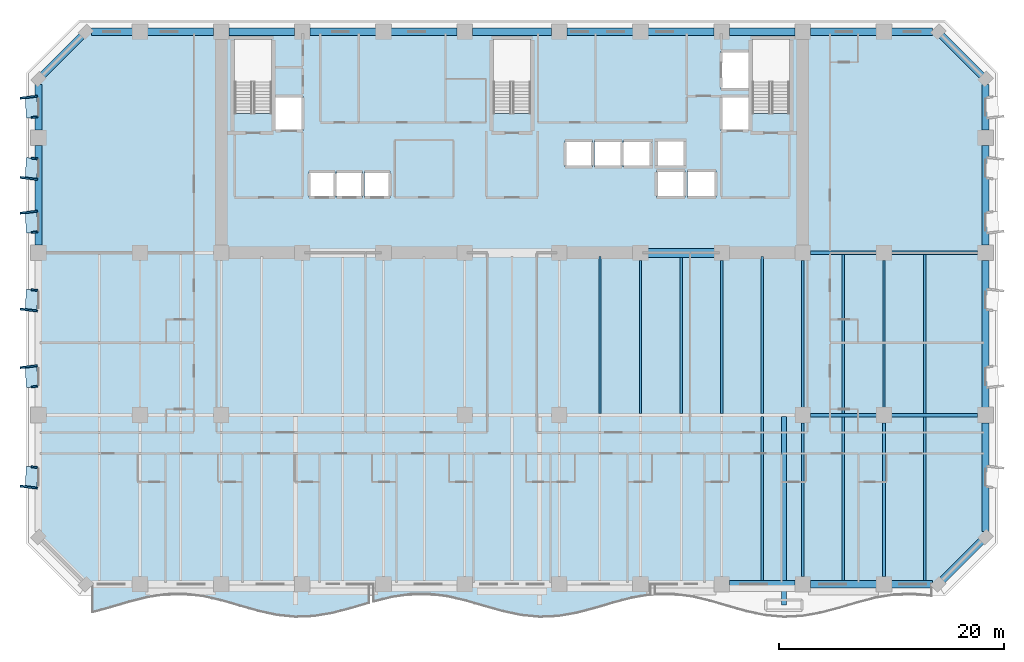
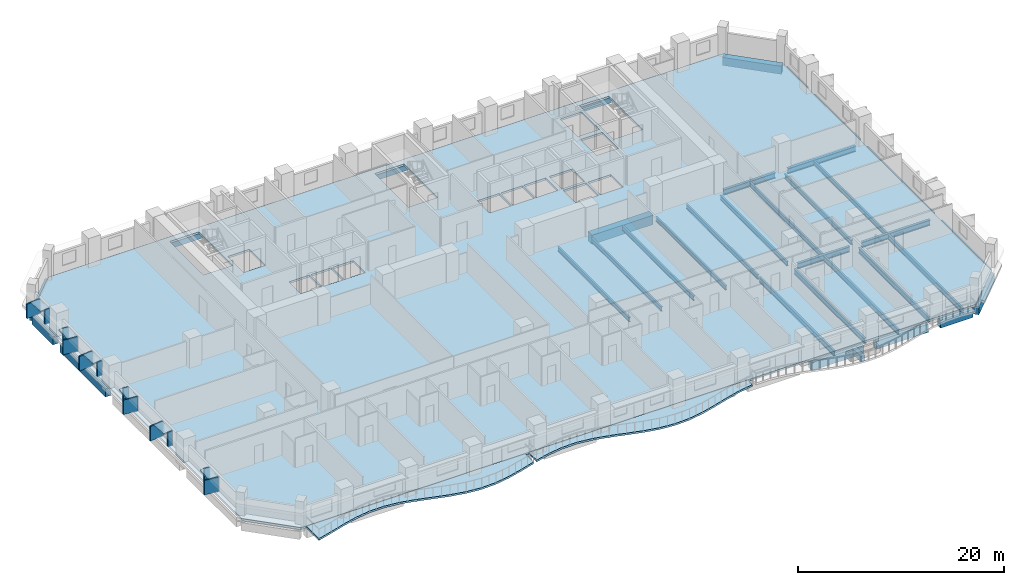
# One storey, part 2 of 15: 43 beams, 18 plates, 3 slabs.
"""IFC4 building model written with IfcOpenShell, lengths in metres."""

from ifc_helpers import new_model, si_unit, direction, frame, origin, origin_2d, place, context, subcontext, project, spatial, polyline, rectangle, i_section, outline, extrude, material, layer, layer_set, material_profile, profile_set, type_object, element, save


model = new_model("IFC4")

# Units and contexts
model_context = context("Model", 3, precision=1e-05, world=origin(), true_north=direction((0.0, 1.0)))
body_context = subcontext(model_context, "Body", "Model", "MODEL_VIEW")
ifc_project = project(units=[si_unit("LENGTHUNIT", "METRE"), si_unit("AREAUNIT", "SQUARE_METRE"), si_unit("VOLUMEUNIT", "CUBIC_METRE"), si_unit("PLANEANGLEUNIT", "RADIAN"), si_unit("MASSUNIT", "GRAM", prefix="KILO")], contexts=[model_context])

# Site, building, storey
site_placement = place(None, origin())
site = spatial("IfcSite", under=ifc_project, at=site_placement, CompositionType="ELEMENT")
building_placement = place(site_placement, origin())
building = spatial("IfcBuilding", under=site, at=building_placement, Name="Kaelvorn Grand Hotel", CompositionType="ELEMENT")
storey_placement = place(building_placement, frame((0.0, 0.0, 53.89990234375)))
storey = spatial("IfcBuildingStorey", under=building, at=storey_placement, Name="L11", CompositionType="ELEMENT", Elevation=53.89990234375)

# Beams
ifc_material_1 = material(Name="Steel S355", Category="steel")
ifc_material_profile_1 = material_profile(ifc_material_1, i_section(OverallWidth=0.300048828125, OverallDepth=0.64990234375, WebThickness=0.01611328125, FlangeThickness=0.031005859375, FilletRadius=0.027099609375, at=origin_2d()), Name="HEB 650")
ifc_profile_set_1 = profile_set([ifc_material_profile_1], Name="Steel S355")
beam_type_1 = type_object("IfcBeamType", Name="BM-G-HEB650-S355", PredefinedType="BEAM", material=ifc_profile_set_1)
beam_1_placement = place(storey_placement, frame((68.485107421875, 15.0, -0.56494140625), z_axis=(1.0, 0.0, 0.0), x_axis=(0.0, 1.0, 0.0)))
element("IfcBeam", 1, at=beam_1_placement, inside=storey, type_object=beam_type_1, Name="L11 Primary Spine Steel Girder G-15 06", PredefinedType="BEAM", context=body_context, shape_type="SweptSolid", body=[
    extrude(i_section(OverallWidth=0.300048828125, OverallDepth=0.64990234375, WebThickness=0.01611328125, FlangeThickness=0.031005859375, FilletRadius=0.027099609375, at=origin_2d()), origin(), (0.0, 0.0, 1.0), 5.829833984375),
])
beam_2_placement = place(storey_placement, frame((75.68505859375, 15.0, -0.56494140625), z_axis=(1.0, 0.0, 0.0), x_axis=(0.0, 1.0, 0.0)))
element("IfcBeam", 2, at=beam_2_placement, inside=storey, type_object=beam_type_1, Name="L11 Primary Spine Steel Girder G-15 07", PredefinedType="BEAM", context=body_context, shape_type="SweptSolid", body=[
    extrude(i_section(OverallWidth=0.300048828125, OverallDepth=0.64990234375, WebThickness=0.01611328125, FlangeThickness=0.031005859375, FilletRadius=0.027099609375, at=origin_2d()), origin(), (0.0, 0.0, 1.0), 7.6298828125),
])
beam_3_placement = place(storey_placement, frame((68.485107421875, 29.39990234375, -0.56494140625), z_axis=(1.0, 0.0, 0.0), x_axis=(0.0, 1.0, 0.0)))
element("IfcBeam", 3, at=beam_3_placement, inside=storey, type_object=beam_type_1, Name="L11 East Core Wing Steel Girder G-29E 01", PredefinedType="BEAM", context=body_context, shape_type="SweptSolid", body=[
    extrude(i_section(OverallWidth=0.300048828125, OverallDepth=0.64990234375, WebThickness=0.01611328125, FlangeThickness=0.031005859375, FilletRadius=0.027099609375, at=origin_2d()), origin(), (0.0, 0.0, 1.0), 5.829833984375),
])
beam_4_placement = place(storey_placement, frame((75.68505859375, 29.39990234375, -0.56494140625), z_axis=(1.0, 0.0, 0.0), x_axis=(0.0, 1.0, 0.0)))
element("IfcBeam", 4, at=beam_4_placement, inside=storey, type_object=beam_type_1, Name="L11 East Core Wing Steel Girder G-29E 02", PredefinedType="BEAM", context=body_context, shape_type="SweptSolid", body=[
    extrude(i_section(OverallWidth=0.300048828125, OverallDepth=0.64990234375, WebThickness=0.01611328125, FlangeThickness=0.031005859375, FilletRadius=0.027099609375, at=origin_2d()), origin(), (0.0, 0.0, 1.0), 7.6298828125),
])
ifc_material_profile_2 = material_profile(ifc_material_1, i_section(OverallWidth=0.209228515625, OverallDepth=0.533203125, WebThickness=0.010009765625, FlangeThickness=0.015625, FilletRadius=0.0126953125, at=origin_2d()), Name="UB 533x210x92")
ifc_profile_set_2 = profile_set([ifc_material_profile_2], Name="Steel S355")
beam_type_2 = type_object("IfcBeamType", Name="BM-J-UB533-S355", PredefinedType="JOIST", material=ifc_profile_set_2)
beam_5_placement = place(storey_placement, frame((49.800048828125, 15.135009765625, -0.50634765625), z_axis=(0.0, 1.0, 0.0), x_axis=(-1.0, 0.0, 0.0)))
element("IfcBeam", 5, at=beam_5_placement, inside=storey, type_object=beam_type_2, Name="L11 Composite Floor Joist JM-14", PredefinedType="JOIST", context=body_context, shape_type="SweptSolid", body=[
    extrude(i_section(OverallWidth=0.209228515625, OverallDepth=0.533203125, WebThickness=0.010009765625, FlangeThickness=0.015625, FilletRadius=0.0126953125, at=origin_2d()), origin(), (0.0, 0.0, 1.0), 13.925048828125),
])
beam_6_placement = place(storey_placement, frame((53.39990234375, 15.135009765625, -0.50634765625), z_axis=(0.0, 1.0, 0.0), x_axis=(-1.0, 0.0, 0.0)))
element("IfcBeam", 6, at=beam_6_placement, inside=storey, type_object=beam_type_2, Name="L11 Composite Floor Joist JM-15", PredefinedType="JOIST", context=body_context, shape_type="SweptSolid", body=[
    extrude(i_section(OverallWidth=0.209228515625, OverallDepth=0.533203125, WebThickness=0.010009765625, FlangeThickness=0.015625, FilletRadius=0.0126953125, at=origin_2d()), origin(), (0.0, 0.0, 1.0), 13.580078125),
])
beam_7_placement = place(storey_placement, frame((57.0, 15.135009765625, -0.50634765625), z_axis=(0.0, 1.0, 0.0), x_axis=(-1.0, 0.0, 0.0)))
element("IfcBeam", 7, at=beam_7_placement, inside=storey, type_object=beam_type_2, Name="L11 Composite Floor Joist JM-16", PredefinedType="JOIST", context=body_context, shape_type="SweptSolid", body=[
    extrude(i_section(OverallWidth=0.209228515625, OverallDepth=0.533203125, WebThickness=0.010009765625, FlangeThickness=0.015625, FilletRadius=0.0126953125, at=origin_2d()), origin(), (0.0, 0.0, 1.0), 13.925048828125),
])
beam_8_placement = place(storey_placement, frame((60.60009765625, 15.135009765625, -0.50634765625), z_axis=(0.0, 1.0, 0.0), x_axis=(-1.0, 0.0, 0.0)))
element("IfcBeam", 8, at=beam_8_placement, inside=storey, type_object=beam_type_2, Name="L11 Composite Floor Joist JM-17", PredefinedType="JOIST", context=body_context, shape_type="SweptSolid", body=[
    extrude(i_section(OverallWidth=0.209228515625, OverallDepth=0.533203125, WebThickness=0.010009765625, FlangeThickness=0.015625, FilletRadius=0.0126953125, at=origin_2d()), origin(), (0.0, 0.0, 1.0), 13.580078125),
])
beam_9_placement = place(storey_placement, frame((64.199951171875, 15.135009765625, -0.50634765625), z_axis=(0.0, 1.0, 0.0), x_axis=(-1.0, 0.0, 0.0)))
element("IfcBeam", 9, at=beam_9_placement, inside=storey, type_object=beam_type_2, Name="L11 Composite Floor Joist JM-18", PredefinedType="JOIST", context=body_context, shape_type="SweptSolid", body=[
    extrude(i_section(OverallWidth=0.209228515625, OverallDepth=0.533203125, WebThickness=0.010009765625, FlangeThickness=0.015625, FilletRadius=0.0126953125, at=origin_2d()), origin(), (0.0, 0.0, 1.0), 13.925048828125),
])
beam_10_placement = place(storey_placement, frame((67.800048828125, 15.68505859375, -0.50634765625), z_axis=(0.0, 1.0, 0.0), x_axis=(-1.0, 0.0, 0.0)))
element("IfcBeam", 10, at=beam_10_placement, inside=storey, type_object=beam_type_2, Name="L11 Composite Floor Joist JM-19", PredefinedType="JOIST", context=body_context, shape_type="SweptSolid", body=[
    extrude(i_section(OverallWidth=0.209228515625, OverallDepth=0.533203125, WebThickness=0.010009765625, FlangeThickness=0.015625, FilletRadius=0.0126953125, at=origin_2d()), origin(), (0.0, 0.0, 1.0), 13.030029296875),
])
beam_11_placement = place(storey_placement, frame((71.39990234375, 15.135009765625, -0.50634765625), z_axis=(0.0, 1.0, 0.0), x_axis=(-1.0, 0.0, 0.0)))
element("IfcBeam", 11, at=beam_11_placement, inside=storey, type_object=beam_type_2, Name="L11 Composite Floor Joist JM-20", PredefinedType="JOIST", context=body_context, shape_type="SweptSolid", body=[
    extrude(i_section(OverallWidth=0.209228515625, OverallDepth=0.533203125, WebThickness=0.010009765625, FlangeThickness=0.015625, FilletRadius=0.0126953125, at=origin_2d()), origin(), (0.0, 0.0, 1.0), 14.1298828125),
])
beam_12_placement = place(storey_placement, frame((75.0, 15.68505859375, -0.50634765625), z_axis=(0.0, 1.0, 0.0), x_axis=(-1.0, 0.0, 0.0)))
element("IfcBeam", 12, at=beam_12_placement, inside=storey, type_object=beam_type_2, Name="L11 Composite Floor Joist JM-21", PredefinedType="JOIST", context=body_context, shape_type="SweptSolid", body=[
    extrude(i_section(OverallWidth=0.209228515625, OverallDepth=0.533203125, WebThickness=0.010009765625, FlangeThickness=0.015625, FilletRadius=0.0126953125, at=origin_2d()), origin(), (0.0, 0.0, 1.0), 13.030029296875),
])
beam_13_placement = place(storey_placement, frame((78.60009765625, 15.135009765625, -0.50634765625), z_axis=(0.0, 1.0, 0.0), x_axis=(-1.0, 0.0, 0.0)))
element("IfcBeam", 13, at=beam_13_placement, inside=storey, type_object=beam_type_2, Name="L11 Composite Floor Joist JM-22", PredefinedType="JOIST", context=body_context, shape_type="SweptSolid", body=[
    extrude(i_section(OverallWidth=0.209228515625, OverallDepth=0.533203125, WebThickness=0.010009765625, FlangeThickness=0.015625, FilletRadius=0.0126953125, at=origin_2d()), origin(), (0.0, 0.0, 1.0), 14.1298828125),
])
ifc_material_profile_3 = material_profile(ifc_material_1, i_section(OverallWidth=0.22900390625, OverallDepth=0.6123046875, WebThickness=0.011962890625, FlangeThickness=0.01953125, FilletRadius=0.0126953125, at=origin_2d()), Name="UB 610x229x125")
ifc_profile_set_3 = profile_set([ifc_material_profile_3], Name="Steel S355")
beam_type_3 = type_object("IfcBeamType", Name="BM-J-UB610-S355", PredefinedType="JOIST", material=ifc_profile_set_3)
beam_14_placement = place(storey_placement, frame((64.199951171875, 0.31005859375, -0.5458984375), z_axis=(0.0, 1.0, 0.0), x_axis=(-1.0, 0.0, 0.0)))
element("IfcBeam", 14, at=beam_14_placement, inside=storey, type_object=beam_type_3, Name="L11 Composite Floor Joist JS-18", PredefinedType="JOIST", context=body_context, shape_type="SweptSolid", body=[
    extrude(i_section(OverallWidth=0.22900390625, OverallDepth=0.6123046875, WebThickness=0.011962890625, FlangeThickness=0.01953125, FilletRadius=0.0126953125, at=origin_2d()), origin(), (0.0, 0.0, 1.0), 14.554931640625),
])
beam_15_placement = place(storey_placement, frame((67.800048828125, 0.68505859375, -0.5458984375), z_axis=(0.0, 1.0, 0.0), x_axis=(-1.0, 0.0, 0.0)))
element("IfcBeam", 15, at=beam_15_placement, inside=storey, type_object=beam_type_3, Name="L11 Composite Floor Joist JS-19", PredefinedType="JOIST", context=body_context, shape_type="SweptSolid", body=[
    extrude(i_section(OverallWidth=0.22900390625, OverallDepth=0.6123046875, WebThickness=0.011962890625, FlangeThickness=0.01953125, FilletRadius=0.0126953125, at=origin_2d()), origin(), (0.0, 0.0, 1.0), 13.6298828125),
])
beam_16_placement = place(storey_placement, frame((71.39990234375, 0.31005859375, -0.5458984375), z_axis=(0.0, 1.0, 0.0), x_axis=(-1.0, 0.0, 0.0)))
element("IfcBeam", 16, at=beam_16_placement, inside=storey, type_object=beam_type_3, Name="L11 Composite Floor Joist JS-20", PredefinedType="JOIST", context=body_context, shape_type="SweptSolid", body=[
    extrude(i_section(OverallWidth=0.22900390625, OverallDepth=0.6123046875, WebThickness=0.011962890625, FlangeThickness=0.01953125, FilletRadius=0.0126953125, at=origin_2d()), origin(), (0.0, 0.0, 1.0), 14.554931640625),
])
beam_17_placement = place(storey_placement, frame((75.0, 0.68505859375, -0.5458984375), z_axis=(0.0, 1.0, 0.0), x_axis=(-1.0, 0.0, 0.0)))
element("IfcBeam", 17, at=beam_17_placement, inside=storey, type_object=beam_type_3, Name="L11 Composite Floor Joist JS-21", PredefinedType="JOIST", context=body_context, shape_type="SweptSolid", body=[
    extrude(i_section(OverallWidth=0.22900390625, OverallDepth=0.6123046875, WebThickness=0.011962890625, FlangeThickness=0.01953125, FilletRadius=0.0126953125, at=origin_2d()), origin(), (0.0, 0.0, 1.0), 13.6298828125),
])
beam_18_placement = place(storey_placement, frame((78.60009765625, 0.31005859375, -0.5458984375), z_axis=(0.0, 1.0, 0.0), x_axis=(-1.0, 0.0, 0.0)))
element("IfcBeam", 18, at=beam_18_placement, inside=storey, type_object=beam_type_3, Name="L11 Composite Floor Joist JS-22", PredefinedType="JOIST", context=body_context, shape_type="SweptSolid", body=[
    extrude(i_section(OverallWidth=0.22900390625, OverallDepth=0.6123046875, WebThickness=0.011962890625, FlangeThickness=0.01953125, FilletRadius=0.0126953125, at=origin_2d()), origin(), (0.0, 0.0, 1.0), 14.554931640625),
])
ifc_material_2 = material(Name="Concrete C60/75", Category="concrete")
ifc_material_profile_4 = material_profile(ifc_material_2, rectangle(XDim=0.800048828125, YDim=1.10009765625, at=origin_2d()), Name="RC LINTEL 800x1100")
ifc_profile_set_4 = profile_set([ifc_material_profile_4], Name="Concrete C60/75")
beam_type_4 = type_object("IfcBeamType", Name="BM-LIN-800x1100-C60", PredefinedType="LINTEL", material=ifc_profile_set_4)
beam_19_placement = place(storey_placement, frame((53.580078125, 29.39990234375, -0.789794921875), z_axis=(1.0, 0.0, 0.0), x_axis=(0.0, 1.0, 0.0)))
element("IfcBeam", 19, at=beam_19_placement, inside=storey, type_object=beam_type_4, Name="L11 Rear-Core Coupling Lintel Beam CB1-03", PredefinedType="LINTEL", context=body_context, shape_type="SweptSolid", body=[
    extrude(rectangle(XDim=0.800048828125, YDim=1.10009765625, at=origin_2d()), origin(), (0.0, 0.0, 1.0), 6.83984375),
])
ifc_material_3 = material(Name="Concrete C40/50", Category="concrete")
ifc_material_profile_5 = material_profile(ifc_material_3, rectangle(XDim=0.449951171875, YDim=0.64990234375, at=origin_2d()), Name="RC RIB 450x650")
ifc_profile_set_5 = profile_set([ifc_material_profile_5], Name="Concrete C40/50")
beam_type_5 = type_object("IfcBeamType", Name="BM-RIB-450x650-C40", PredefinedType="SPANDREL", material=ifc_profile_set_5)
beam_20_placement = place(storey_placement, frame((66.115478515625, -1.85009765625, -0.544921875), z_axis=(0.0, 1.0, 0.0), x_axis=(-1.0, 0.0, 0.0)))
element("IfcBeam", 20, at=beam_20_placement, inside=storey, type_object=beam_type_5, Name="L11 Cantilevered Balcony Back-Span Rib RB1-3", PredefinedType="SPANDREL", context=body_context, shape_type="SweptSolid", body=[
    extrude(rectangle(XDim=0.449951171875, YDim=0.64990234375, at=origin_2d()), origin(), (0.0, 0.0, 1.0), 16.715087890625),
])
ifc_material_profile_6 = material_profile(ifc_material_2, rectangle(XDim=0.64990234375, YDim=0.949951171875, at=origin_2d()), Name="RC SPANDREL 650x950")
ifc_profile_set_6 = profile_set([ifc_material_profile_6], Name="Concrete C60/75")
beam_type_6 = type_object("IfcBeamType", Name="BM-SP-650x950-C60", PredefinedType="SPANDREL", material=ifc_profile_set_6)
beam_21_placement = place(storey_placement, frame((61.284912109375, 0.0, -0.71484375), z_axis=(1.0, 0.0, 0.0), x_axis=(0.0, 1.0, 0.0)))
element("IfcBeam", 21, at=beam_21_placement, inside=storey, type_object=beam_type_6, Name="L11 South Perimeter Spandrel 09", PredefinedType="SPANDREL", context=body_context, shape_type="SweptSolid", body=[
    extrude(rectangle(XDim=0.64990234375, YDim=0.949951171875, at=origin_2d()), origin(), (0.0, 0.0, 1.0), 5.830078125),
])
beam_22_placement = place(storey_placement, frame((68.485107421875, 0.0, -0.71484375), z_axis=(1.0, 0.0, 0.0), x_axis=(0.0, 1.0, 0.0)))
element("IfcBeam", 22, at=beam_22_placement, inside=storey, type_object=beam_type_6, Name="L11 South Perimeter Spandrel 10", PredefinedType="SPANDREL", context=body_context, shape_type="SweptSolid", body=[
    extrude(rectangle(XDim=0.64990234375, YDim=0.949951171875, at=origin_2d()), origin(), (0.0, 0.0, 1.0), 5.829833984375),
])
for number, where, z_axis, x_axis, name in (
    (23, (75.68505859375, 0.0, -0.71484375), (1.0, 0.0, 0.0), (0.0, 1.0, 0.0), "L11 South Perimeter Spandrel 11"),
    (24, (4.68505859375, 49.0, -0.71484375), (1.0, 0.0, 0.0), (0.0, 1.0, 0.0), "L11 North Perimeter Spandrel 01"),
):
    element("IfcBeam", number, at=place(storey_placement, frame(where, z_axis=z_axis, x_axis=x_axis)), inside=storey, type_object=beam_type_6, Name=name, PredefinedType="SPANDREL", context=body_context, shape_type="SweptSolid", body=[
        extrude(rectangle(XDim=0.64990234375, YDim=0.949951171875, at=origin_2d()), origin(), (0.0, 0.0, 1.0), 3.6298828125),
    ])
beam_23_placement = place(storey_placement, frame((9.68505859375, 49.0, -0.71484375), z_axis=(1.0, 0.0, 0.0), x_axis=(0.0, 1.0, 0.0)))
element("IfcBeam", 25, at=beam_23_placement, inside=storey, type_object=beam_type_6, Name="L11 North Perimeter Spandrel 02", PredefinedType="SPANDREL", context=body_context, shape_type="SweptSolid", body=[
    extrude(rectangle(XDim=0.64990234375, YDim=0.949951171875, at=origin_2d()), origin(), (0.0, 0.0, 1.0), 5.829833984375),
])
for number, where, z_axis, x_axis, name in (
    (26, (16.885009765625, 49.0, -0.71484375), (1.0, 0.0, 0.0), (0.0, 1.0, 0.0), "L11 North Perimeter Spandrel 03"),
    (27, (24.0849609375, 49.0, -0.71484375), (1.0, 0.0, 0.0), (0.0, 1.0, 0.0), "L11 North Perimeter Spandrel 04"),
    (28, (31.284912109375, 49.0, -0.71484375), (1.0, 0.0, 0.0), (0.0, 1.0, 0.0), "L11 North Perimeter Spandrel 05"),
):
    element("IfcBeam", number, at=place(storey_placement, frame(where, z_axis=z_axis, x_axis=x_axis)), inside=storey, type_object=beam_type_6, Name=name, PredefinedType="SPANDREL", context=body_context, shape_type="SweptSolid", body=[
        extrude(rectangle(XDim=0.64990234375, YDim=0.949951171875, at=origin_2d()), origin(), (0.0, 0.0, 1.0), 5.830078125),
    ])
beam_24_placement = place(storey_placement, frame((38.485107421875, 49.0, -0.71484375), z_axis=(1.0, 0.0, 0.0), x_axis=(0.0, 1.0, 0.0)))
element("IfcBeam", 29, at=beam_24_placement, inside=storey, type_object=beam_type_6, Name="L11 North Perimeter Spandrel 06", PredefinedType="SPANDREL", context=body_context, shape_type="SweptSolid", body=[
    extrude(rectangle(XDim=0.64990234375, YDim=0.949951171875, at=origin_2d()), origin(), (0.0, 0.0, 1.0), 7.02978515625),
])
for number, where, z_axis, x_axis, name in (
    (30, (46.885009765625, 49.0, -0.71484375), (1.0, 0.0, 0.0), (0.0, 1.0, 0.0), "L11 North Perimeter Spandrel 07"),
    (31, (54.0849609375, 49.0, -0.71484375), (1.0, 0.0, 0.0), (0.0, 1.0, 0.0), "L11 North Perimeter Spandrel 08"),
    (32, (61.284912109375, 49.0, -0.71484375), (1.0, 0.0, 0.0), (0.0, 1.0, 0.0), "L11 North Perimeter Spandrel 09"),
):
    element("IfcBeam", number, at=place(storey_placement, frame(where, z_axis=z_axis, x_axis=x_axis)), inside=storey, type_object=beam_type_6, Name=name, PredefinedType="SPANDREL", context=body_context, shape_type="SweptSolid", body=[
        extrude(rectangle(XDim=0.64990234375, YDim=0.949951171875, at=origin_2d()), origin(), (0.0, 0.0, 1.0), 5.830078125),
    ])
beam_25_placement = place(storey_placement, frame((68.485107421875, 49.0, -0.71484375), z_axis=(1.0, 0.0, 0.0), x_axis=(0.0, 1.0, 0.0)))
element("IfcBeam", 33, at=beam_25_placement, inside=storey, type_object=beam_type_6, Name="L11 North Perimeter Spandrel 10", PredefinedType="SPANDREL", context=body_context, shape_type="SweptSolid", body=[
    extrude(rectangle(XDim=0.64990234375, YDim=0.949951171875, at=origin_2d()), origin(), (0.0, 0.0, 1.0), 5.829833984375),
])
beam_26_placement = place(storey_placement, frame((75.68505859375, 49.0, -0.71484375), z_axis=(1.0, 0.0, 0.0), x_axis=(0.0, 1.0, 0.0)))
element("IfcBeam", 34, at=beam_26_placement, inside=storey, type_object=beam_type_6, Name="L11 North Perimeter Spandrel 11", PredefinedType="SPANDREL", context=body_context, shape_type="SweptSolid", body=[
    extrude(rectangle(XDim=0.64990234375, YDim=0.949951171875, at=origin_2d()), origin(), (0.0, 0.0, 1.0), 3.6298828125),
])
beam_27_placement = place(storey_placement, frame((0.0, 30.0849609375, -0.71484375), z_axis=(0.0, 1.0, 0.0), x_axis=(-1.0, 0.0, 0.0)))
element("IfcBeam", 35, at=beam_27_placement, inside=storey, type_object=beam_type_6, Name="L11 West Perimeter Spandrel 03", PredefinedType="SPANDREL", context=body_context, shape_type="SweptSolid", body=[
    extrude(rectangle(XDim=0.64990234375, YDim=0.949951171875, at=origin_2d()), origin(), (0.0, 0.0, 1.0), 8.830078125),
])
beam_28_placement = place(storey_placement, frame((0.0, 40.284912109375, -0.71484375), z_axis=(0.0, 1.0, 0.0), x_axis=(-1.0, 0.0, 0.0)))
element("IfcBeam", 36, at=beam_28_placement, inside=storey, type_object=beam_type_6, Name="L11 West Perimeter Spandrel 04", PredefinedType="SPANDREL", context=body_context, shape_type="SweptSolid", body=[
    extrude(rectangle(XDim=0.64990234375, YDim=0.949951171875, at=origin_2d()), origin(), (0.0, 0.0, 1.0), 4.030029296875),
])
beam_29_placement = place(storey_placement, frame((84.0, 4.68505859375, -0.71484375), z_axis=(0.0, 1.0, 0.0), x_axis=(-1.0, 0.0, 0.0)))
element("IfcBeam", 37, at=beam_29_placement, inside=storey, type_object=beam_type_6, Name="L11 East Perimeter Spandrel 01", PredefinedType="SPANDREL", context=body_context, shape_type="SweptSolid", body=[
    extrude(rectangle(XDim=0.64990234375, YDim=0.949951171875, at=origin_2d()), origin(), (0.0, 0.0, 1.0), 9.6298828125),
])
beam_30_placement = place(storey_placement, frame((84.0, 15.68505859375, -0.71484375), z_axis=(0.0, 1.0, 0.0), x_axis=(-1.0, 0.0, 0.0)))
element("IfcBeam", 38, at=beam_30_placement, inside=storey, type_object=beam_type_6, Name="L11 East Perimeter Spandrel 02", PredefinedType="SPANDREL", context=body_context, shape_type="SweptSolid", body=[
    extrude(rectangle(XDim=0.64990234375, YDim=0.949951171875, at=origin_2d()), origin(), (0.0, 0.0, 1.0), 13.030029296875),
])
beam_31_placement = place(storey_placement, frame((84.0, 30.0849609375, -0.71484375), z_axis=(0.0, 1.0, 0.0), x_axis=(-1.0, 0.0, 0.0)))
element("IfcBeam", 39, at=beam_31_placement, inside=storey, type_object=beam_type_6, Name="L11 East Perimeter Spandrel 03", PredefinedType="SPANDREL", context=body_context, shape_type="SweptSolid", body=[
    extrude(rectangle(XDim=0.64990234375, YDim=0.949951171875, at=origin_2d()), origin(), (0.0, 0.0, 1.0), 8.830078125),
])
beam_32_placement = place(storey_placement, frame((84.0, 40.284912109375, -0.71484375), z_axis=(0.0, 1.0, 0.0), x_axis=(-1.0, 0.0, 0.0)))
element("IfcBeam", 40, at=beam_32_placement, inside=storey, type_object=beam_type_6, Name="L11 East Perimeter Spandrel 04", PredefinedType="SPANDREL", context=body_context, shape_type="SweptSolid", body=[
    extrude(rectangle(XDim=0.64990234375, YDim=0.949951171875, at=origin_2d()), origin(), (0.0, 0.0, 1.0), 4.030029296875),
])
for number, where, z_axis, x_axis, name in (
    (41, (79.800048828125, 0.0, -0.71484375), (0.707106781187, 0.707106781187, 0.0), (-0.707106781187, 0.707106781187, 0.0), "L11 Chamfer Spandrel Beam 1"),
    (42, (84.0, 44.800048828125, -0.71484375), (-0.707106781187, 0.707106781187, 0.0), (-0.707106781187, -0.707106781187, 0.0), "L11 Chamfer Spandrel Beam 2"),
    (43, (4.199951171875, 49.0, -0.71484375), (-0.707106781187, -0.707106781187, 0.0), (0.707106781187, -0.707106781187, 0.0), "L11 Chamfer Spandrel Beam 3"),
):
    element("IfcBeam", number, at=place(storey_placement, frame(where, z_axis=z_axis, x_axis=x_axis)), inside=storey, type_object=beam_type_6, Name=name, PredefinedType="SPANDREL", context=body_context, shape_type="SweptSolid", body=[
        extrude(rectangle(XDim=0.64990234375, YDim=0.949951171875, at=origin_2d()), origin(), (0.0, 0.0, 1.0), 5.939697265625),
    ])

# Plates
ifc_material_4 = material(Name="Precast concrete C45/55", Category="concrete")
ifc_layer_1 = layer(ifc_material_4, 0.159912109375)
ifc_layer_set_1 = layer_set([ifc_layer_1], Name="Precast concrete C45/55")
plate_type_1 = type_object("IfcPlateType", Name="PL-FRAME-DEEP-1550", PredefinedType="USERDEFINED", material=ifc_layer_set_1)
for number, where, z_axis, x_axis, name in (
    (44, (-0.864990234375, 8.610107421875, 0.68994140625), (0.0, 0.0, 1.0), (0.121869343405, 0.992546151641, 0.0), "L11 Tilted Precast Window Frame Fin L-W01"),
    (45, (-0.864990234375, 19.300048828125, 0.68994140625), (0.0, 0.0, 1.0), (-0.121869343405, 0.992546151641, 0.0), "L11 Tilted Precast Window Frame Fin R-W02"),
    (46, (-0.864990234375, 24.320068359375, 0.68994140625), (0.0, 0.0, 1.0), (0.121869343405, 0.992546151641, 0.0), "L11 Tilted Precast Window Frame Fin L-W03"),
    (47, (-0.864990234375, 33.0048828125, 0.68994140625), (0.0, 0.0, 1.0), (-0.121869343405, 0.992546151641, 0.0), "L11 Tilted Precast Window Frame Fin R-W04"),
    (48, (-0.864990234375, 35.9951171875, 0.68994140625), (0.0, 0.0, 1.0), (0.121869343405, 0.992546151641, 0.0), "L11 Tilted Precast Window Frame Fin L-W05"),
    (49, (-0.864990234375, 43.205078125, 0.68994140625), (0.0, 0.0, 1.0), (-0.121869343405, 0.992546151641, 0.0), "L11 Tilted Precast Window Frame Fin R-W06"),
):
    element("IfcPlate", number, at=place(storey_placement, frame(where, z_axis=z_axis, x_axis=x_axis)), inside=storey, type_object=plate_type_1, Name=name, ObjectType="FLANGE_PLATE", PredefinedType="USERDEFINED", context=body_context, shape_type="SweptSolid", body=[
        extrude(rectangle(XDim=0.159912109375, YDim=1.550048828125, at=origin_2d()), origin(), (0.0, 0.0, 1.0), 1.719970703125),
    ])
ifc_layer_2 = layer(ifc_material_4, 0.159912109375)
ifc_layer_set_2 = layer_set([ifc_layer_2], Name="Precast concrete C45/55")
plate_type_2 = type_object("IfcPlateType", Name="PL-FRAME-HEAD-1050", PredefinedType="USERDEFINED", material=ifc_layer_set_2)
for number, where, z_axis, x_axis, name in (
    (50, (-0.614990234375, 9.5, 2.25), (0.0, 0.0, 1.0), (0.054950179912, 0.998489097451, 0.0), "L11 Precast Window Frame Head Hood H-W01"),
    (51, (-0.614990234375, 18.409912109375, 2.25), (0.0, 0.0, 1.0), (-0.054950179912, 0.998489097451, 0.0), "L11 Precast Window Frame Head Hood H-W02"),
    (52, (-0.614990234375, 25.2099609375, 2.25), (0.0, 0.0, 1.0), (0.054950179912, 0.998489097451, 0.0), "L11 Precast Window Frame Head Hood H-W03"),
    (53, (-0.614990234375, 32.114990234375, 2.25), (0.0, 0.0, 1.0), (-0.054950179912, 0.998489097451, 0.0), "L11 Precast Window Frame Head Hood H-W04"),
    (54, (-0.614990234375, 36.885009765625, 2.25), (0.0, 0.0, 1.0), (0.054950179912, 0.998489097451, 0.0), "L11 Precast Window Frame Head Hood H-W05"),
    (55, (-0.614990234375, 42.31494140625, 2.25), (0.0, 0.0, 1.0), (-0.054950179912, 0.998489097451, 0.0), "L11 Precast Window Frame Head Hood H-W06"),
):
    element("IfcPlate", number, at=place(storey_placement, frame(where, z_axis=z_axis, x_axis=x_axis)), inside=storey, type_object=plate_type_2, Name=name, ObjectType="FLANGE_PLATE", PredefinedType="USERDEFINED", context=body_context, shape_type="SweptSolid", body=[
        extrude(rectangle(XDim=1.860107421875, YDim=1.050048828125, at=origin_2d()), origin(), (0.0, 0.0, 1.0), 0.159912109375),
    ])
ifc_layer_3 = layer(ifc_material_4, 0.159912109375)
ifc_layer_set_3 = layer_set([ifc_layer_3], Name="Precast concrete C45/55")
plate_type_3 = type_object("IfcPlateType", Name="PL-FRAME-SHAL-550", PredefinedType="USERDEFINED", material=ifc_layer_set_3)
for number, where, z_axis, x_axis, name in (
    (56, (-0.364990234375, 10.389892578125, 0.68994140625), (0.0, 0.0, 1.0), (0.121869343405, 0.992546151641, 0.0), "L11 Tilted Precast Window Frame Fin R-W01"),
    (57, (-0.364990234375, 17.52001953125, 0.68994140625), (0.0, 0.0, 1.0), (-0.121869343405, 0.992546151641, 0.0), "L11 Tilted Precast Window Frame Fin L-W02"),
    (58, (-0.364990234375, 26.10009765625, 0.68994140625), (0.0, 0.0, 1.0), (0.121869343405, 0.992546151641, 0.0), "L11 Tilted Precast Window Frame Fin R-W03"),
    (59, (-0.364990234375, 31.22509765625, 0.68994140625), (0.0, 0.0, 1.0), (-0.121869343405, 0.992546151641, 0.0), "L11 Tilted Precast Window Frame Fin L-W04"),
    (60, (-0.364990234375, 37.77490234375, 0.68994140625), (0.0, 0.0, 1.0), (0.121869343405, 0.992546151641, 0.0), "L11 Tilted Precast Window Frame Fin R-W05"),
    (61, (-0.364990234375, 41.425048828125, 0.68994140625), (0.0, 0.0, 1.0), (-0.121869343405, 0.992546151641, 0.0), "L11 Tilted Precast Window Frame Fin L-W06"),
):
    element("IfcPlate", number, at=place(storey_placement, frame(where, z_axis=z_axis, x_axis=x_axis)), inside=storey, type_object=plate_type_3, Name=name, ObjectType="FLANGE_PLATE", PredefinedType="USERDEFINED", context=body_context, shape_type="SweptSolid", body=[
        extrude(rectangle(XDim=0.159912109375, YDim=0.550048828125, at=origin_2d()), origin(), (0.0, 0.0, 1.0), 1.719970703125),
    ])

# Slabs
ifc_layer_4 = layer(ifc_material_3, 0.219970703125)
ifc_layer_set_4 = layer_set([ifc_layer_4], Name="Concrete C40/50")
slab_type_1 = type_object("IfcSlabType", Name="SLB-BALC-220-C40", PredefinedType="FLOOR", material=ifc_layer_set_4)
slab_1_placement = place(storey_placement, frame((0.0, 0.0, -0.219970703125)))
element("IfcSlab", 62, at=slab_1_placement, inside=storey, type_object=slab_type_1, Name="L11 Scalloped Wave Balcony Slab 1", PredefinedType="FLOOR", context=body_context, shape_type="SweptSolid", body=[
    extrude(outline(polyline([(4.800048828125, -2.4775390625), (6.435546875, -2.03076171875), (8.071044921875, -1.549560546875), (9.706787109375, -1.140380859375), (11.34228515625, -0.89453125), (12.977783203125, -0.866455078125), (14.61328125, -1.0625), (16.248779296875, -1.438720703125), (17.884521484375, -1.912109375), (19.52001953125, -2.377197265625), (21.155517578125, -2.730712890625), (22.791015625, -2.89404296875), (24.4267578125, -2.831298828125), (26.062255859375, -2.555908203125), (27.69775390625, -2.12939453125), (29.333251953125, -1.646240234375), (29.333251953125, 0.0), (4.800048828125, 0.0), (4.800048828125, -2.4775390625)])), origin(), (0.0, 0.0, 1.0), 0.219970703125),
])
slab_2_placement = place(storey_placement, frame((0.0, 0.0, -0.219970703125)))
element("IfcSlab", 63, at=slab_2_placement, inside=storey, type_object=slab_type_1, Name="L11 Scalloped Wave Balcony Slab 2", PredefinedType="FLOOR", context=body_context, shape_type="SweptSolid", body=[
    extrude(outline(polyline([(29.7333984375, -1.531982421875), (31.368896484375, -1.127685546875), (33.00439453125, -0.889404296875), (34.639892578125, -0.869873046875), (36.275634765625, -1.073974609375), (37.9111328125, -1.45556640625), (39.546630859375, -1.9306640625), (41.18212890625, -2.393310546875), (42.81787109375, -2.74072265625), (44.453369140625, -2.89599609375), (46.0888671875, -2.824462890625), (47.724365234375, -2.5419921875), (49.360107421875, -2.111328125), (50.99560546875, -1.62841796875), (52.631103515625, -1.199951171875), (54.2666015625, -0.921630859375), (54.2666015625, 0.0), (29.7333984375, 0.0), (29.7333984375, -1.531982421875)])), origin(), (0.0, 0.0, 1.0), 0.219970703125),
])
ifc_layer_5 = layer(ifc_material_3, 0.239990234375)
ifc_layer_set_5 = layer_set([ifc_layer_5], Name="Concrete C40/50")
slab_type_2 = type_object("IfcSlabType", Name="SLB-FLR-240-C40", PredefinedType="FLOOR", material=ifc_layer_set_5)
slab_3_placement = place(storey_placement, frame((0.0, 0.0, -0.239990234375)))
element("IfcSlab", 64, at=slab_3_placement, inside=storey, type_object=slab_type_2, Name="L11 Indoor Suspended Floor Slab", PredefinedType="FLOOR", context=body_context, shape_type="SweptSolid", body=[
    extrude(outline(polyline([(4.199951171875, 0.0), (79.800048828125, 0.0), (84.0, 4.199951171875), (84.0, 44.800048828125), (79.800048828125, 49.0), (4.199951171875, 49.0), (0.0, 44.800048828125), (0.0, 4.199951171875), (4.199951171875, 0.0)]), holes=[polyline([(17.39990234375, 41.760009765625), (17.39990234375, 48.300048828125), (20.679931640625, 48.300048828125), (20.679931640625, 41.760009765625), (17.39990234375, 41.760009765625)]), polyline([(40.360107421875, 41.760009765625), (40.360107421875, 48.300048828125), (43.639892578125, 48.300048828125), (43.639892578125, 41.760009765625), (40.360107421875, 41.760009765625)]), polyline([(63.320068359375, 41.760009765625), (63.320068359375, 48.300048828125), (66.60009765625, 48.300048828125), (66.60009765625, 41.760009765625), (63.320068359375, 41.760009765625)]), polyline([(24.0, 34.300048828125), (24.0, 36.60009765625), (26.300048828125, 36.60009765625), (26.300048828125, 34.300048828125), (24.0, 34.300048828125)]), polyline([(26.449951171875, 34.300048828125), (26.449951171875, 36.60009765625), (28.75, 36.60009765625), (28.75, 34.300048828125), (26.449951171875, 34.300048828125)]), polyline([(28.89990234375, 34.300048828125), (28.89990234375, 36.60009765625), (31.199951171875, 36.60009765625), (31.199951171875, 34.300048828125), (28.89990234375, 34.300048828125)]), polyline([(46.699951171875, 37.0), (46.699951171875, 39.35009765625), (49.14990234375, 39.35009765625), (49.14990234375, 37.0), (46.699951171875, 37.0)]), polyline([(49.300048828125, 37.0), (49.300048828125, 39.35009765625), (51.75, 39.35009765625), (51.75, 37.0), (49.300048828125, 37.0)]), polyline([(51.89990234375, 37.0), (51.89990234375, 39.35009765625), (54.35009765625, 39.35009765625), (54.35009765625, 37.0), (51.89990234375, 37.0)]), polyline([(54.800048828125, 34.300048828125), (54.800048828125, 36.699951171875), (57.35009765625, 36.699951171875), (57.35009765625, 34.300048828125), (54.800048828125, 34.300048828125)]), polyline([(57.550048828125, 34.300048828125), (57.550048828125, 36.699951171875), (60.10009765625, 36.699951171875), (60.10009765625, 34.300048828125), (57.550048828125, 34.300048828125)]), polyline([(54.800048828125, 37.0), (54.800048828125, 39.39990234375), (57.35009765625, 39.39990234375), (57.35009765625, 37.0), (54.800048828125, 37.0)]), polyline([(21.0, 40.199951171875), (21.0, 43.300048828125), (23.449951171875, 43.300048828125), (23.449951171875, 40.199951171875), (21.0, 40.199951171875)]), polyline([(60.550048828125, 40.199951171875), (60.550048828125, 43.300048828125), (63.0, 43.300048828125), (63.0, 40.199951171875), (60.550048828125, 40.199951171875)]), polyline([(60.550048828125, 43.89990234375), (60.550048828125, 47.300048828125), (63.0, 47.300048828125), (63.0, 43.89990234375), (60.550048828125, 43.89990234375)])]), origin(), (0.0, 0.0, 1.0), 0.239990234375),
])

save(model, "model.ifc")
